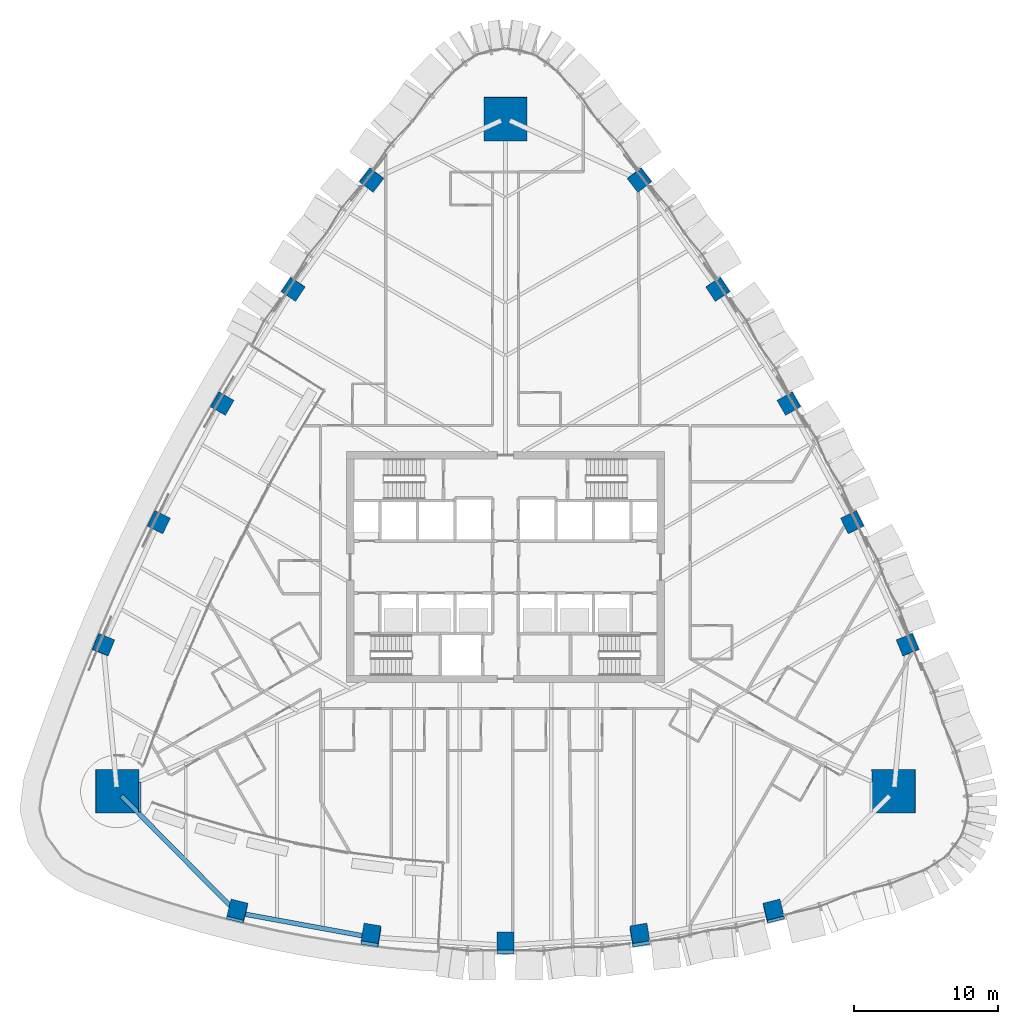
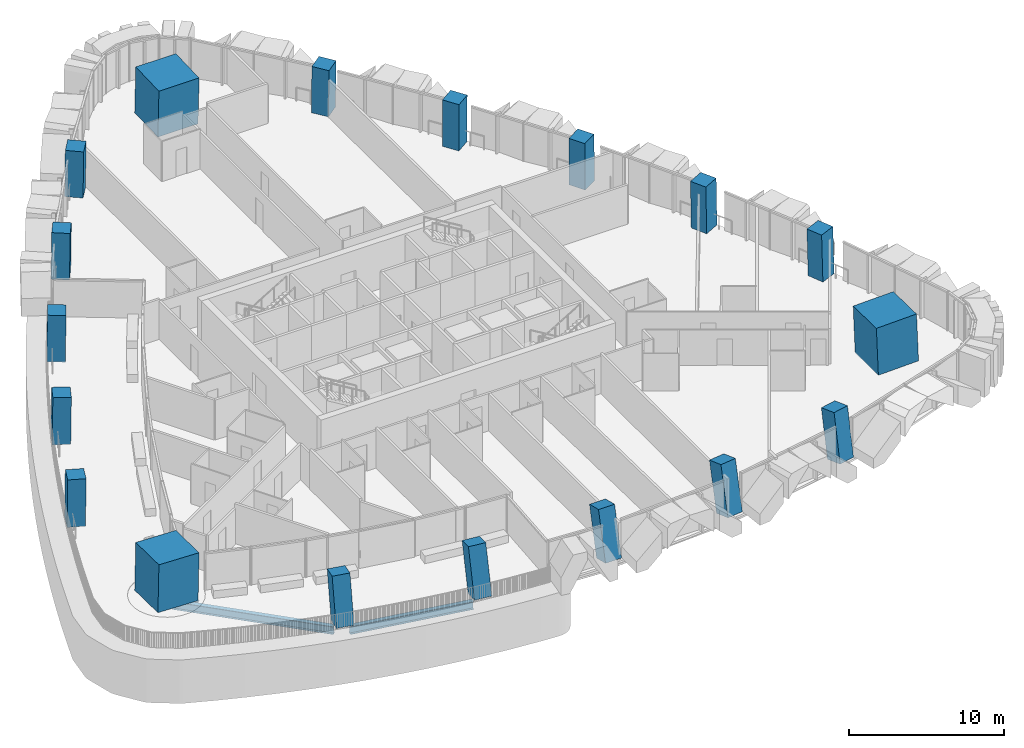
# One storey, part 1 of 24: 18 columns, 3 beams.
"""IFC4 building model written with IfcOpenShell, lengths in metres."""

from ifc_helpers import new_model, si_unit, direction, frame, origin, origin_2d, place, context, subcontext, project, spatial, rectangle, i_section, extrude, clip, halfspace, material, material_profile, profile_set, type_object, element, save


model = new_model("IFC4")

# Units and contexts
model_context = context("Model", 3, precision=1e-05, world=origin(), true_north=direction((0.0, 1.0)))
body_context = subcontext(model_context, "Body", "Model", "MODEL_VIEW")
ifc_project = project(units=[si_unit("LENGTHUNIT", "METRE"), si_unit("AREAUNIT", "SQUARE_METRE"), si_unit("VOLUMEUNIT", "CUBIC_METRE"), si_unit("PLANEANGLEUNIT", "RADIAN"), si_unit("MASSUNIT", "GRAM", prefix="KILO")], contexts=[model_context])

# Site, building, storey
site_placement = place(None, origin())
site = spatial("IfcSite", under=ifc_project, at=site_placement, CompositionType="ELEMENT")
building_placement = place(site_placement, origin())
building = spatial("IfcBuilding", under=site, at=building_placement, Name="Sierra Prisma Convention Tower", CompositionType="ELEMENT")
storey_placement = place(building_placement, frame((0.0, 0.0, 59.10009765625)))
storey = spatial("IfcBuildingStorey", under=building, at=storey_placement, Name="L10", CompositionType="ELEMENT", Elevation=59.10009765625)

# Columns
ifc_material_1 = material(Name="Concrete C60/75", Category="concrete")
ifc_material_profile_1 = material_profile(ifc_material_1, rectangle(XDim=3.0, YDim=3.0, at=origin_2d()), Name="Mega column RC 3000 C60/75")
ifc_profile_set_1 = profile_set([ifc_material_profile_1], Name="Concrete C60/75")
column_type_1 = type_object("IfcColumnType", Name="Mega column RC 3000 C60/75", PredefinedType="COLUMN", material=ifc_profile_set_1)
for number, where, z_axis, x_axis, name in (
    (1, (26.902099609375, -15.531982421875, 0.0), (-0.030597838594, 0.017672889533, 0.99937552564), (0.99953177652, 0.000541005533, 0.030593055416), "Mega column SE L10"),
    (2, (0.0, 31.06396484375, 0.0), (0.0, -0.03534576554, 0.999375143206), (1.0, 0.0, 0.0), "Mega column N L10"),
    (3, (-26.902099609375, -15.531982421875, 0.0), (0.030597838594, 0.017672889533, 0.99937552564), (0.99953177652, -0.000541005533, -0.030593055416), "Mega column SW L10"),
):
    element("IfcColumn", number, at=place(storey_placement, frame(where, z_axis=z_axis, x_axis=x_axis)), inside=storey, type_object=column_type_1, Name=name, PredefinedType="COLUMN", context=body_context, shape_type="SweptSolid", body=[
        extrude(rectangle(XDim=3.0, YDim=3.0, at=origin_2d()), origin(), (0.0, 0.0, 1.0), 3.7021484375),
    ])
ifc_material_2 = material(Name="Concrete C60/75", Category="concrete")
ifc_material_profile_2 = material_profile(ifc_material_2, rectangle(XDim=1.199951171875, YDim=1.199951171875, at=origin_2d()), Name="Perimeter column RC 1200 C60/75")
ifc_profile_set_2 = profile_set([ifc_material_profile_2], Name="Concrete C60/75")
column_type_2 = type_object("IfcColumnType", Name="Perimeter column RC 1200 C60/75", PredefinedType="COLUMN", material=ifc_profile_set_2)
column_1_placement = place(storey_placement, frame((-18.58740234375, -23.93212890625, 0.0), z_axis=(0.018967622747, 0.174735976675, 0.984432612088), x_axis=(-0.970613488438, 0.239463695606, -0.023803246622)))
element("IfcColumn", 4, at=column_1_placement, inside=storey, type_object=column_type_2, Name="Perimeter column S-1 L10", PredefinedType="COLUMN", context=body_context, shape_type="SweptSolid", body=[
    clip(clip(extrude(rectangle(XDim=1.199951171875, YDim=1.199951171875, at=origin_2d()), origin(), (0.0, 0.0, 1.0), 3.758544921875), halfspace(frame((0.0, 0.0, 0.000732421875)), True)), halfspace(frame((0.0, 0.0, 3.7578125)), False)),
])
column_2_placement = place(storey_placement, frame((-9.31396484375, -25.633056640625, 0.0), z_axis=(0.009390084537, 0.223303928158, 0.974703638026), x_axis=(0.986945932523, -0.158794334949, 0.026871647957)))
element("IfcColumn", 5, at=column_2_placement, inside=storey, type_object=column_type_2, Name="Perimeter column S-2 L10", PredefinedType="COLUMN", context=body_context, shape_type="SweptSolid", body=[
    extrude(rectangle(XDim=1.199951171875, YDim=1.199951171875, at=origin_2d()), origin(), (0.0, 0.0, 1.0), 3.7958984375),
])
column_3_placement = place(storey_placement, frame((0.0, -26.195068359375, 0.0), z_axis=(0.0, 0.23868906442, 0.971096045984), x_axis=(-1.0, 0.0, 0.0)))
element("IfcColumn", 6, at=column_3_placement, inside=storey, type_object=column_type_2, Name="Perimeter column S-3 L10", PredefinedType="COLUMN", context=body_context, shape_type="SweptSolid", body=[
    extrude(rectangle(XDim=1.199951171875, YDim=1.199951171875, at=origin_2d()), origin(), (0.0, 0.0, 1.0), 3.81005859375),
])
column_4_placement = place(storey_placement, frame((9.31396484375, -25.633056640625, 0.0), z_axis=(-0.009390084537, 0.223303928158, 0.974703638026), x_axis=(-0.986945932523, -0.158794334949, 0.026871647957)))
element("IfcColumn", 7, at=column_4_placement, inside=storey, type_object=column_type_2, Name="Perimeter column S-4 L10", PredefinedType="COLUMN", context=body_context, shape_type="SweptSolid", body=[
    extrude(rectangle(XDim=1.199951171875, YDim=1.199951171875, at=origin_2d()), origin(), (0.0, 0.0, 1.0), 3.7958984375),
])
column_5_placement = place(storey_placement, frame((18.58740234375, -23.93212890625, 0.0), z_axis=(-0.018967622747, 0.174735976675, 0.984432612088), x_axis=(0.970613488438, 0.239463695606, -0.023803246622)))
element("IfcColumn", 8, at=column_5_placement, inside=storey, type_object=column_type_2, Name="Perimeter column S-5 L10", PredefinedType="COLUMN", context=body_context, shape_type="SweptSolid", body=[
    clip(clip(extrude(rectangle(XDim=1.199951171875, YDim=1.199951171875, at=origin_2d()), origin(), (0.0, 0.0, 1.0), 3.758544921875), halfspace(frame((0.0, 0.0, 0.000732421875)), True)), halfspace(frame((0.0, 0.0, 3.7578125)), False)),
])
column_6_placement = place(storey_placement, frame((27.860595703125, -5.377685546875, 0.0), z_axis=(-0.019526598325, 0.011016695677, 0.999748640596), x_axis=(-0.381644572431, 0.92414086278, -0.017637632301)))
element("IfcColumn", 9, at=column_6_placement, inside=storey, type_object=column_type_2, Name="Perimeter column NE-1 L10", PredefinedType="COLUMN", context=body_context, shape_type="SweptSolid", body=[
    extrude(rectangle(XDim=1.199951171875, YDim=1.199951171875, at=origin_2d()), origin(), (0.0, 0.0, 1.0), 3.700927734375),
])
column_7_placement = place(storey_placement, frame((24.02099609375, 3.11376953125, 0.0), z_axis=(-0.015240683228, 0.002309194428, 0.99988118754), x_axis=(-0.441769278209, 0.897085485762, -0.008805456633)))
element("IfcColumn", 10, at=column_7_placement, inside=storey, type_object=column_type_2, Name="Perimeter column NE-2 L10", PredefinedType="COLUMN", context=body_context, shape_type="SweptSolid", body=[
    extrude(rectangle(XDim=1.199951171875, YDim=1.199951171875, at=origin_2d()), origin(), (0.0, 0.0, 1.0), 3.700439453125),
])
column_8_placement = place(storey_placement, frame((19.63037109375, 11.33349609375, 0.0), z_axis=(-0.010688729499, -0.00613612249, 0.999924046647), x_axis=(-0.49997143695, 0.866041893524, -2.9922579e-05)))
element("IfcColumn", 11, at=column_8_placement, inside=storey, type_object=column_type_2, Name="Perimeter column NE-3 L10", PredefinedType="COLUMN", context=body_context, shape_type="SweptSolid", body=[
    extrude(rectangle(XDim=1.199951171875, YDim=1.199951171875, at=origin_2d()), origin(), (0.0, 0.0, 1.0), 3.7001953125),
])
column_9_placement = place(storey_placement, frame((14.707275390625, 19.24609375, 0.0), z_axis=(-0.005674011074, -0.014448935178, 0.999879509676), x_axis=(-0.555995112452, 0.831138385984, 0.008855409229)))
element("IfcColumn", 12, at=column_9_placement, inside=storey, type_object=column_type_2, Name="Perimeter column NE-4 L10", PredefinedType="COLUMN", context=body_context, shape_type="SweptSolid", body=[
    extrude(rectangle(XDim=1.199951171875, YDim=1.199951171875, at=origin_2d()), origin(), (0.0, 0.0, 1.0), 3.700439453125),
])
for number, where, z_axis, x_axis, name in (
    (13, (9.273193359375, 26.816650390625, 0.0), (-0.00019790496, -0.022363260521, 0.999749891429), (-0.609590497253, 0.792520924124, 0.017607114602), "Perimeter column NE-5 L10"),
    (14, (-9.273193359375, 26.816650390625, 0.0), (0.00019790496, -0.022363260521, 0.999749891429), (0.609590497253, 0.792520924124, 0.017607114602), "Perimeter column NW-1 L10"),
):
    element("IfcColumn", number, at=place(storey_placement, frame(where, z_axis=z_axis, x_axis=x_axis)), inside=storey, type_object=column_type_2, Name=name, PredefinedType="COLUMN", context=body_context, shape_type="SweptSolid", body=[
        extrude(rectangle(XDim=1.199951171875, YDim=1.199951171875, at=origin_2d()), origin(), (0.0, 0.0, 1.0), 3.700927734375),
    ])
column_10_placement = place(storey_placement, frame((-14.707275390625, 19.24609375, 0.0), z_axis=(0.005674011074, -0.014448935178, 0.999879509676), x_axis=(0.555995112452, 0.831138385984, 0.008855409229)))
element("IfcColumn", 15, at=column_10_placement, inside=storey, type_object=column_type_2, Name="Perimeter column NW-2 L10", PredefinedType="COLUMN", context=body_context, shape_type="SweptSolid", body=[
    extrude(rectangle(XDim=1.199951171875, YDim=1.199951171875, at=origin_2d()), origin(), (0.0, 0.0, 1.0), 3.700439453125),
])
column_11_placement = place(storey_placement, frame((-19.63037109375, 11.33349609375, 0.0), z_axis=(0.010688729499, -0.00613612249, 0.999924046647), x_axis=(0.49997143695, 0.866041893524, -2.9922579e-05)))
element("IfcColumn", 16, at=column_11_placement, inside=storey, type_object=column_type_2, Name="Perimeter column NW-3 L10", PredefinedType="COLUMN", context=body_context, shape_type="SweptSolid", body=[
    extrude(rectangle(XDim=1.199951171875, YDim=1.199951171875, at=origin_2d()), origin(), (0.0, 0.0, 1.0), 3.7001953125),
])
column_12_placement = place(storey_placement, frame((-24.02099609375, 3.11376953125, 0.0), z_axis=(0.015240683228, 0.002309194428, 0.99988118754), x_axis=(0.441769278209, 0.897085485762, -0.008805456633)))
element("IfcColumn", 17, at=column_12_placement, inside=storey, type_object=column_type_2, Name="Perimeter column NW-4 L10", PredefinedType="COLUMN", context=body_context, shape_type="SweptSolid", body=[
    extrude(rectangle(XDim=1.199951171875, YDim=1.199951171875, at=origin_2d()), origin(), (0.0, 0.0, 1.0), 3.700439453125),
])
column_13_placement = place(storey_placement, frame((-27.860595703125, -5.377685546875, 0.0), z_axis=(0.019526598325, 0.011016695677, 0.999748640596), x_axis=(0.381644572431, 0.92414086278, -0.017637632301)))
element("IfcColumn", 18, at=column_13_placement, inside=storey, type_object=column_type_2, Name="Perimeter column NW-5 L10", PredefinedType="COLUMN", context=body_context, shape_type="SweptSolid", body=[
    extrude(rectangle(XDim=1.199951171875, YDim=1.199951171875, at=origin_2d()), origin(), (0.0, 0.0, 1.0), 3.700927734375),
])

# Beams
ifc_material_3 = material(Name="Steel ASTM A992 Gr 50", Category="steel")
ifc_material_profile_3 = material_profile(ifc_material_3, i_section(OverallWidth=0.172119140625, OverallDepth=0.35791015625, WebThickness=0.0078125, FlangeThickness=0.01318359375, at=origin_2d()), Name="W360x57")
ifc_profile_set_3 = profile_set([ifc_material_profile_3], Name="Steel ASTM A992 Gr 50")
beam_type_1 = type_object("IfcBeamType", Name="Floor joist W360x57", PredefinedType="JOIST", material=ifc_profile_set_3)
beam_1_placement = place(storey_placement, frame((-25.319580078125, -16.94970703125, -0.3291015625), z_axis=(0.0, 1.0, 0.0), x_axis=(-1.0, 0.0, 0.0)))
element("IfcBeam", 19, at=beam_1_placement, inside=storey, type_object=beam_type_1, Name="Floor joist L10 S01", PredefinedType="JOIST", context=body_context, shape_type="SweptSolid", body=[
    extrude(i_section(OverallWidth=0.172119140625, OverallDepth=0.35791015625, WebThickness=0.0078125, FlangeThickness=0.01318359375, at=origin_2d()), origin(), (0.0, 0.0, 1.0), 2.056884765625),
])
ifc_material_4 = material(Name="Steel ASTM A992 Gr 50", Category="steel")
ifc_material_profile_4 = material_profile(ifc_material_4, i_section(OverallWidth=0.324951171875, OverallDepth=0.615966796875, WebThickness=0.013916015625, FlangeThickness=0.021484375, at=origin_2d()), Name="W610x174")
ifc_profile_set_4 = profile_set([ifc_material_profile_4], Name="Steel ASTM A992 Gr 50")
beam_type_2 = type_object("IfcBeamType", Name="Spandrel beam W610x174", PredefinedType="BEAM", material=ifc_profile_set_4)
beam_2_placement = place(storey_placement, frame((-26.605224609375, -15.83203125, -0.608154296875), z_axis=(0.703485422432, -0.710709687866, 0.0), x_axis=(0.710709687866, 0.703485422432, 0.0)))
element("IfcBeam", 20, at=beam_2_placement, inside=storey, type_object=beam_type_2, Name="Spandrel L10-01", PredefinedType="BEAM", context=body_context, shape_type="SweptSolid", body=[
    extrude(i_section(OverallWidth=0.324951171875, OverallDepth=0.615966796875, WebThickness=0.013916015625, FlangeThickness=0.021484375, at=origin_2d()), origin(), (0.0, 0.0, 1.0), 10.814208984375),
])
beam_3_placement = place(storey_placement, frame((-18.1142578125, -24.018798828125, -0.608154296875), z_axis=(0.983586773686, -0.180435746539, 0.0), x_axis=(0.180435746539, 0.983586773686, 0.0)))
element("IfcBeam", 21, at=beam_3_placement, inside=storey, type_object=beam_type_2, Name="Spandrel L10-02", PredefinedType="BEAM", context=body_context, shape_type="SweptSolid", body=[
    extrude(i_section(OverallWidth=0.324951171875, OverallDepth=0.615966796875, WebThickness=0.013916015625, FlangeThickness=0.021484375, at=origin_2d()), origin(), (0.0, 0.0, 1.0), 8.466064453125),
])

save(model, "model.ifc")
